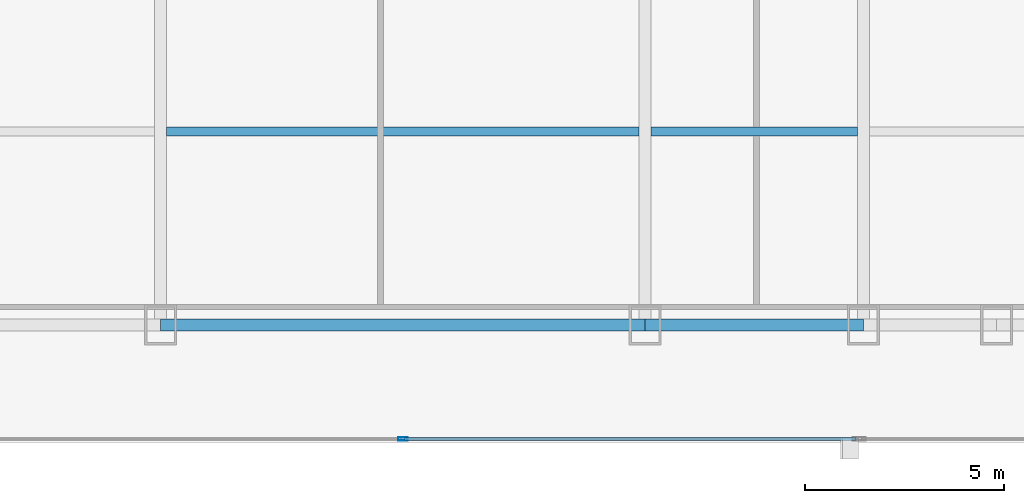
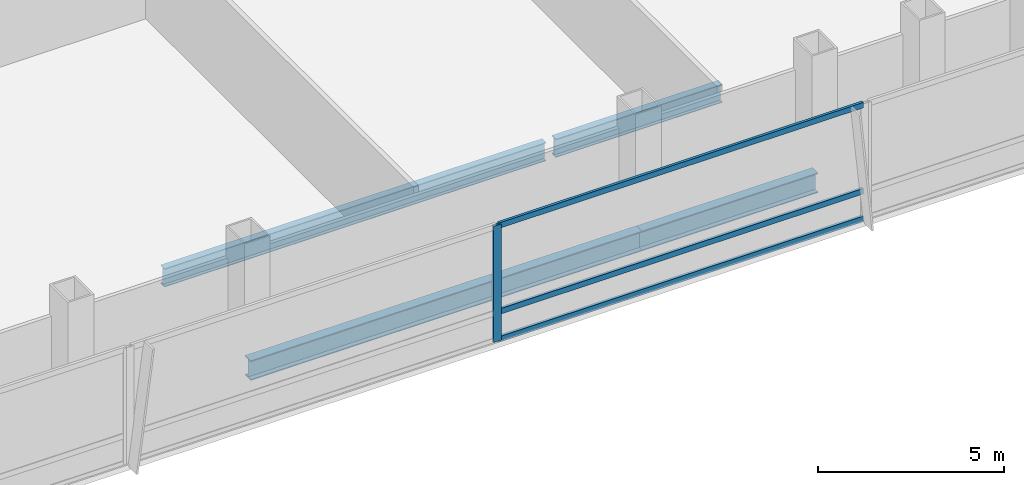
# One storey, part 12 of 32: 4 beams, 4 members, 1 element without a shape of its own.
"""IFC4 building model written with IfcOpenShell, lengths in metres."""

from ifc_helpers import new_model, si_unit, direction, frame, origin, origin_2d, place, context, subcontext, project, spatial, hollow_rectangle, i_section, extrude, material, material_profile, profile_set, type_object, element, aggregate, save


model = new_model("IFC4")

# Units and contexts
model_context = context("Model", 3, precision=1e-05, world=origin(), true_north=direction((0.0, 1.0)))
body_context = subcontext(model_context, "Body", "Model", "MODEL_VIEW")
ifc_project = project(units=[si_unit("LENGTHUNIT", "METRE"), si_unit("AREAUNIT", "SQUARE_METRE"), si_unit("VOLUMEUNIT", "CUBIC_METRE"), si_unit("PLANEANGLEUNIT", "RADIAN"), si_unit("MASSUNIT", "GRAM", prefix="KILO")], contexts=[model_context])

# Site, building, storey
site_placement = place(None, origin())
site = spatial("IfcSite", under=ifc_project, at=site_placement, CompositionType="ELEMENT")
building_placement = place(site_placement, origin())
building = spatial("IfcBuilding", under=site, at=building_placement, Name="Khoronbel Lancet Exchange", CompositionType="ELEMENT")
storey_placement = place(building_placement, frame((0.0, 0.0, 41.800048828125)))
storey = spatial("IfcBuildingStorey", under=building, at=storey_placement, Name="L09", CompositionType="ELEMENT", Elevation=41.800048828125)

# Beams
ifc_material_1 = material(Name="Steel S355", Category="steel")
ifc_material_profile_1 = material_profile(ifc_material_1, i_section(OverallWidth=0.219970703125, OverallDepth=0.60009765625, WebThickness=0.011962890625, FlangeThickness=0.01904296875, at=origin_2d()), Name="IPE 600")
ifc_profile_set_1 = profile_set([ifc_material_profile_1], Name="Steel S355")
beam_type_1 = type_object("IfcBeamType", Name="BM-BJ1", PredefinedType="JOIST", material=ifc_profile_set_1)
beam_1_placement = place(storey_placement, frame((30.52490234375, 15.0, -0.47998046875), z_axis=(1.0, 0.0, 0.0), x_axis=(0.0, 1.0, 0.0)))
element("IfcBeam", 1, at=beam_1_placement, inside=storey, type_object=beam_type_1, Name="Level L09 secondary composite joist J03", PredefinedType="JOIST", context=body_context, shape_type="SweptSolid", body=[
    extrude(i_section(OverallWidth=0.219970703125, OverallDepth=0.60009765625, WebThickness=0.011962890625, FlangeThickness=0.01904296875, at=origin_2d()), origin(), (0.0, 0.0, 1.0), 11.85009765625),
])
beam_2_placement = place(storey_placement, frame((42.675048828125, 15.0, -0.47998046875), z_axis=(1.0, 0.0, 0.0), x_axis=(0.0, 1.0, 0.0)))
element("IfcBeam", 2, at=beam_2_placement, inside=storey, type_object=beam_type_1, Name="Level L09 secondary composite joist J04", PredefinedType="JOIST", context=body_context, shape_type="SweptSolid", body=[
    extrude(i_section(OverallWidth=0.219970703125, OverallDepth=0.60009765625, WebThickness=0.011962890625, FlangeThickness=0.01904296875, at=origin_2d()), origin(), (0.0, 0.0, 1.0), 5.175048828125),
])
ifc_material_profile_2 = material_profile(ifc_material_1, i_section(OverallWidth=0.300048828125, OverallDepth=0.64990234375, WebThickness=0.01611328125, FlangeThickness=0.031005859375, at=origin_2d()), Name="HEB 650")
ifc_profile_set_2 = profile_set([ifc_material_profile_2], Name="Steel S355")
beam_type_2 = type_object("IfcBeamType", Name="BM-BSP1", PredefinedType="SPANDREL", material=ifc_profile_set_2)
beam_3_placement = place(storey_placement, frame((30.375, 10.14990234375, -0.505126953125), z_axis=(1.0, 0.0, 0.0), x_axis=(0.0, 1.0, 0.0)))
element("IfcBeam", 3, at=beam_3_placement, inside=storey, type_object=beam_type_2, Name="Level L09 perimeter spandrel beam SP05", PredefinedType="SPANDREL", context=body_context, shape_type="SweptSolid", body=[
    extrude(i_section(OverallWidth=0.300048828125, OverallDepth=0.64990234375, WebThickness=0.01611328125, FlangeThickness=0.031005859375, at=origin_2d()), origin(), (0.0, 0.0, 1.0), 12.14990234375),
])
beam_4_placement = place(storey_placement, frame((42.52490234375, 10.14990234375, -0.505126953125), z_axis=(1.0, 0.0, 0.0), x_axis=(0.0, 1.0, 0.0)))
element("IfcBeam", 4, at=beam_4_placement, inside=storey, type_object=beam_type_2, Name="Level L09 perimeter spandrel beam SP06", PredefinedType="SPANDREL", context=body_context, shape_type="SweptSolid", body=[
    extrude(i_section(OverallWidth=0.300048828125, OverallDepth=0.64990234375, WebThickness=0.01611328125, FlangeThickness=0.031005859375, at=origin_2d()), origin(), (0.0, 0.0, 1.0), 5.47509765625),
])

# Curtain wall, members
ifc_material_2 = material(Name="Low-E Solar Control Insulating Glass", Category="glass")
curtain_wall_type = type_object("IfcCurtainWallType", Name="CW-1", PredefinedType="NOTDEFINED", material=ifc_material_2)
curtain_wall_placement = place(storey_placement, origin())
curtain_wall = element("IfcCurtainWall", 5, at=curtain_wall_placement, inside=storey, type_object=curtain_wall_type, Name="Unitised curtain wall CW-L09-SCV", PredefinedType="NOTDEFINED")
ifc_material_3 = material(Name="Bronze-Anodised Aluminium 6063-T6", Category="aluminium")
ifc_material_profile_3 = material_profile(ifc_material_3, hollow_rectangle(XDim=0.0849609375, YDim=0.239990234375, WallThickness=0.006103515625, at=origin_2d()), Name="ALU MULLION 85x240")
ifc_profile_set_3 = profile_set([ifc_material_profile_3], Name="Bronze-Anodised Aluminium 6063-T6")
member_type_1 = type_object("IfcMemberType", Name="MEM-CWM1", PredefinedType="MULLION", material=ifc_profile_set_3)
member_1_placement = place(storey_placement, frame((36.449951171875, 7.2900390625, 0.0), z_axis=(0.0, 0.0, 1.0), x_axis=(0.0, 1.0, 0.0)))
member_1 = element("IfcMember", 6, at=member_1_placement, type_object=member_type_1, Name="CW1 mullion 2", PredefinedType="MULLION", context=body_context, shape_type="SweptSolid", body=[
    extrude(hollow_rectangle(XDim=0.0849609375, YDim=0.239990234375, WallThickness=0.006103515625, at=origin_2d()), origin(), (0.0, 0.0, 1.0), 3.820068359375),
])
ifc_material_profile_4 = material_profile(ifc_material_3, hollow_rectangle(XDim=0.0849609375, YDim=0.179931640625, WallThickness=0.0048828125, at=origin_2d()), Name="ALU TRANSOM 85x180")
ifc_profile_set_4 = profile_set([ifc_material_profile_4], Name="Bronze-Anodised Aluminium 6063-T6")
member_type_2 = type_object("IfcMemberType", Name="MEM-CWT1", PredefinedType="USERDEFINED", material=ifc_profile_set_4)
member_2_placement = place(storey_placement, frame((36.492431640625, 7.2900390625, 0.04248046875), z_axis=(1.0, 0.0, 0.0), x_axis=(0.0, 1.0, 0.0)))
member_2 = element("IfcMember", 7, at=member_2_placement, type_object=member_type_2, Name="CW1 transom 2.1", ObjectType="TRANSOM", PredefinedType="USERDEFINED", context=body_context, shape_type="SweptSolid", body=[
    extrude(hollow_rectangle(XDim=0.0849609375, YDim=0.179931640625, WallThickness=0.0048828125, at=origin_2d()), origin(), (0.0, 0.0, 1.0), 11.322509765625),
])
member_3_placement = place(storey_placement, frame((36.492431640625, 7.2900390625, 0.949951171875), z_axis=(1.0, 0.0, 0.0), x_axis=(0.0, 1.0, 0.0)))
member_3 = element("IfcMember", 8, at=member_3_placement, type_object=member_type_2, Name="CW1 transom 2.2", ObjectType="TRANSOM", PredefinedType="USERDEFINED", context=body_context, shape_type="SweptSolid", body=[
    extrude(hollow_rectangle(XDim=0.0849609375, YDim=0.179931640625, WallThickness=0.0048828125, at=origin_2d()), origin(), (0.0, 0.0, 1.0), 11.322509765625),
])
member_4_placement = place(storey_placement, frame((36.492431640625, 7.2900390625, 3.77734375), z_axis=(1.0, 0.0, 0.0), x_axis=(0.0, 1.0, 0.0)))
member_4 = element("IfcMember", 9, at=member_4_placement, type_object=member_type_2, Name="CW1 transom 2.3", ObjectType="TRANSOM", PredefinedType="USERDEFINED", context=body_context, shape_type="SweptSolid", body=[
    extrude(hollow_rectangle(XDim=0.0849609375, YDim=0.179931640625, WallThickness=0.0048828125, at=origin_2d()), origin(), (0.0, 0.0, 1.0), 11.322509765625),
])
aggregate(curtain_wall, [member_1, member_2, member_3, member_4])

save(model, "model.ifc")
